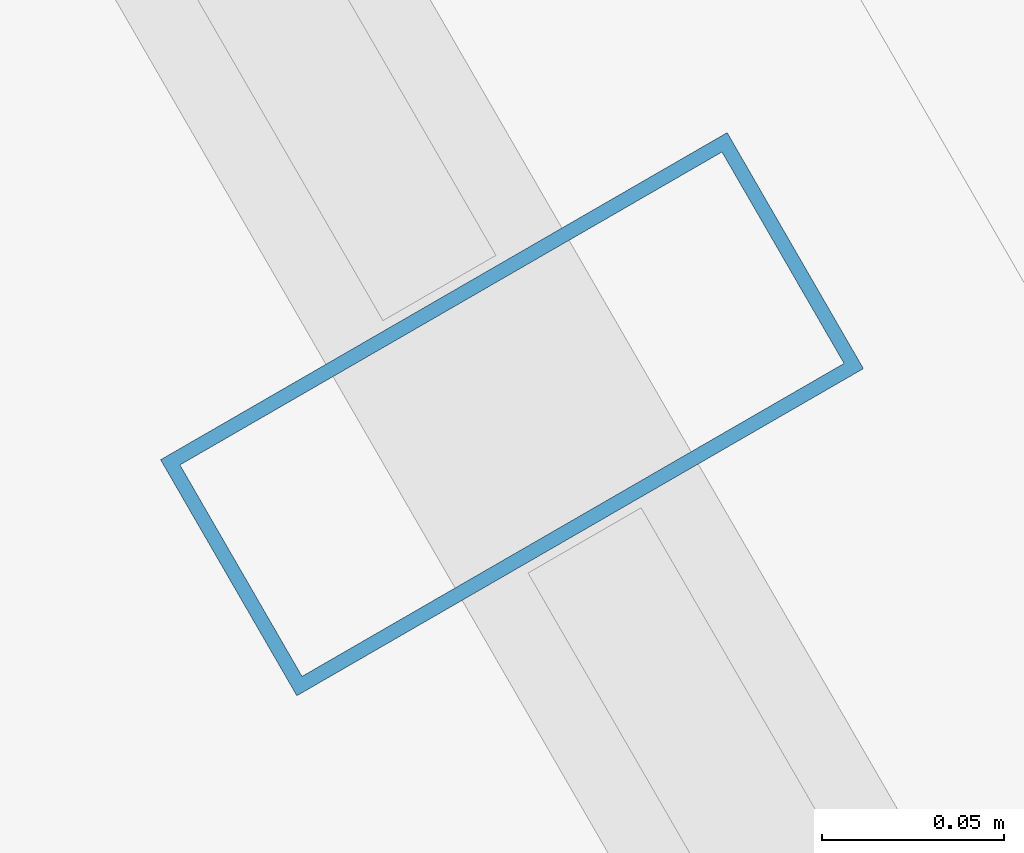
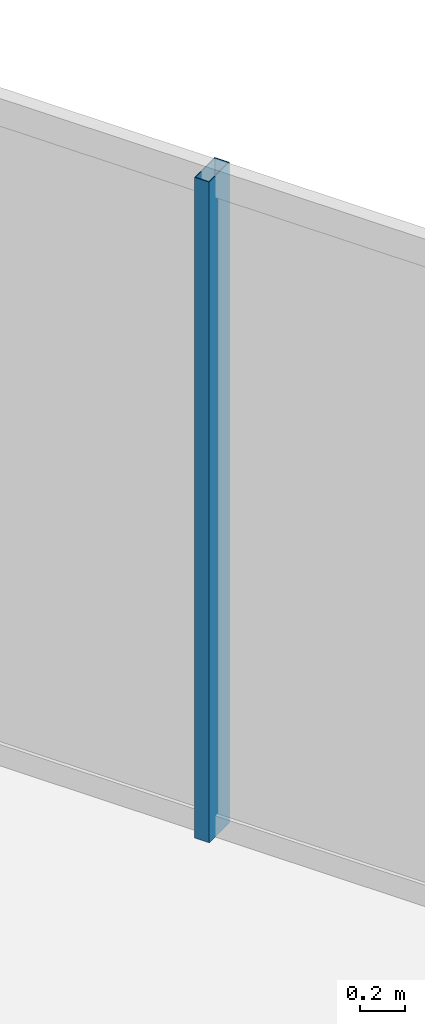
# One storey, part 19 of 32: 1 member, 1 element without a shape of its own.
"""IFC4 building model written with IfcOpenShell, lengths in metres."""

from ifc_helpers import new_model, si_unit, direction, frame, origin, origin_2d, place, context, subcontext, project, spatial, hollow_rectangle, extrude, material, layer, layer_set, material_profile, profile_set, type_object, element, aggregate, save


model = new_model("IFC4")

# Units and contexts
model_context = context("Model", 3, precision=1e-05, world=origin(), true_north=direction((0.0, 1.0)))
body_context = subcontext(model_context, "Body", "Model", "MODEL_VIEW")
ifc_project = project(units=[si_unit("LENGTHUNIT", "METRE"), si_unit("AREAUNIT", "SQUARE_METRE"), si_unit("VOLUMEUNIT", "CUBIC_METRE"), si_unit("PLANEANGLEUNIT", "RADIAN"), si_unit("MASSUNIT", "GRAM", prefix="KILO")], contexts=[model_context])

# Site, building, storey
site_placement = place(None, origin())
site = spatial("IfcSite", under=ifc_project, at=site_placement, CompositionType="ELEMENT")
building_placement = place(site_placement, origin())
building = spatial("IfcBuilding", under=site, at=building_placement, Name="Ndaravel Arena Tower", CompositionType="ELEMENT")
storey_placement = place(building_placement, frame((0.0, 0.0, 283.300048828125)))
storey = spatial("IfcBuildingStorey", under=building, at=storey_placement, Name="L69", CompositionType="ELEMENT", Elevation=283.300048828125)

# Curtain wall, member
ifc_material_1 = material(Name="Aluminium", Category="aluminium")
ifc_layer = layer(ifc_material_1, 0.179931640625)
ifc_layer_set = layer_set([ifc_layer], Name="Aluminium")
curtain_wall_type = type_object("IfcCurtainWallType", Name="CW-SYS-03", PredefinedType="NOTDEFINED", material=ifc_layer_set)
curtain_wall_placement = place(storey_placement, origin())
curtain_wall = element("IfcCurtainWall", 1, at=curtain_wall_placement, inside=storey, type_object=curtain_wall_type, Name="L69 Faceted Crystal Curtain Wall CW-L69-E03", PredefinedType="NOTDEFINED")
ifc_material_2 = material(Name="Aluminium", Category="aluminium")
ifc_material_profile = material_profile(ifc_material_2, hollow_rectangle(XDim=0.074951171875, YDim=0.179931640625, WallThickness=0.00390625, at=origin_2d()), Name="CW MULLION 75x180x4")
ifc_profile_set = profile_set([ifc_material_profile], Name="Aluminium")
member_type = type_object("IfcMemberType", Name="MEM-CW-MUL180", PredefinedType="MULLION", material=ifc_profile_set)
member_placement = place(storey_placement, frame((48.724609375, 36.086181640625, 0.0), z_axis=(0.0, 0.0, 1.0), x_axis=(-0.5, 0.866025403784, 0.0)))
member = element("IfcMember", 2, at=member_placement, type_object=member_type, Name="CW-L69-E03 Mullion 07", PredefinedType="MULLION", context=body_context, shape_type="SweptSolid", body=[
    extrude(hollow_rectangle(XDim=0.074951171875, YDim=0.179931640625, WallThickness=0.00390625, at=origin_2d()), origin(), (0.0, 0.0, 1.0), 3.579833984375),
])
aggregate(curtain_wall, [member])

save(model, "model.ifc")
